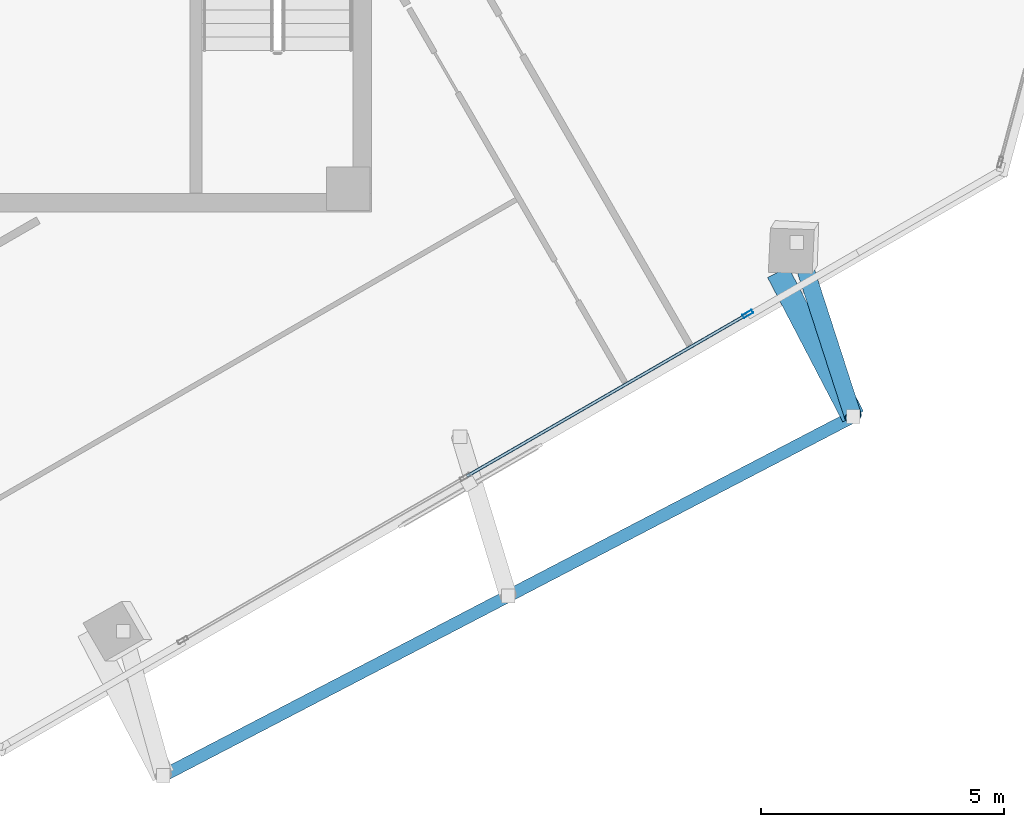
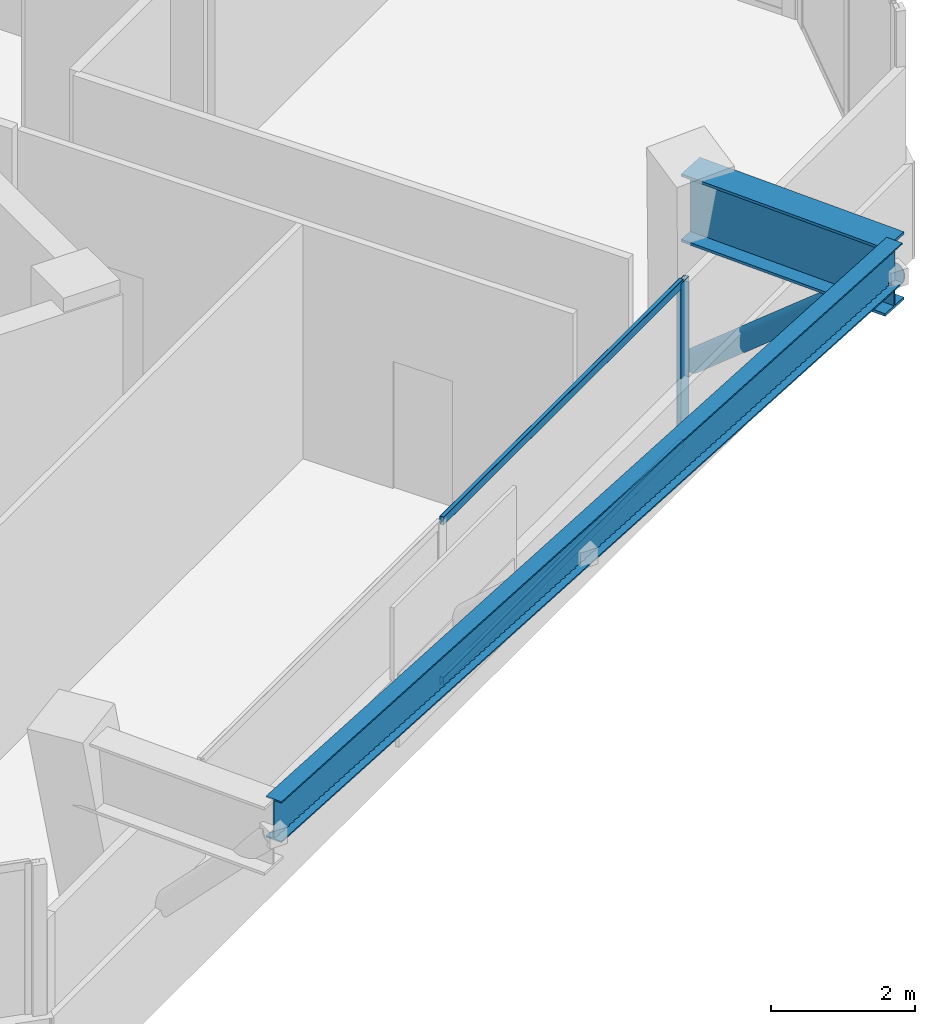
# One storey, part 5 of 15: 4 members, 2 beams, 1 element without a shape of its own.
"""IFC4 building model written with IfcOpenShell, lengths in metres."""

from ifc_helpers import new_model, si_unit, direction, frame, origin, origin_2d, place, context, subcontext, project, spatial, hollow_rectangle, hollow_circle, i_section, extrude, source, transform, mapped, material, material_profile, profile_set, type_object, element, aggregate, save


model = new_model("IFC4")

# Units and contexts
model_context = context("Model", 3, precision=1e-05, world=origin(), true_north=direction((0.0, 1.0)))
body_context = subcontext(model_context, "Body", "Model", "MODEL_VIEW")
ifc_project = project(units=[si_unit("LENGTHUNIT", "METRE"), si_unit("AREAUNIT", "SQUARE_METRE"), si_unit("VOLUMEUNIT", "CUBIC_METRE"), si_unit("PLANEANGLEUNIT", "RADIAN"), si_unit("MASSUNIT", "GRAM", prefix="KILO")], contexts=[model_context])

# Site, building, storey
site_placement = place(None, origin())
site = spatial("IfcSite", under=ifc_project, at=site_placement, CompositionType="ELEMENT")
building_placement = place(site_placement, origin())
building = spatial("IfcBuilding", under=site, at=building_placement, Name="Torre Montelarca", CompositionType="ELEMENT")
storey_placement = place(building_placement, frame((0.0, 0.0, 324.0)))
storey = spatial("IfcBuildingStorey", under=building, at=storey_placement, Name="L73", CompositionType="ELEMENT", Elevation=324.0)

# Member
ifc_material_1 = material(Name="Steel ASTM A500 Grade C", Category="steel")
ifc_material_profile_1 = material_profile(ifc_material_1, hollow_circle(Radius=0.177734375, WallThickness=0.015869140625, at=origin_2d()), Name="HSS355.6X15.9", Category="steel")
ifc_profile_set_1 = profile_set([ifc_material_profile_1], Name="Steel ASTM A500 Grade C")
member_type_1 = type_object("IfcMemberType", Name="MB-BR-CHS356-EXT", PredefinedType="BRACE", material=ifc_profile_set_1)
shared_shape_1 = source(origin(), body_context, "Body", "SweptSolid", [
    extrude(hollow_circle(Radius=0.177734375, WallThickness=0.015869140625, at=origin_2d()), origin(), (0.0, 0.0, 1.0), 4.9638671875),
])
member_1_placement = place(storey_placement, frame((35.67822265625, 23.442626953125, 0.14990234375), z_axis=(0.233715008194, -0.721555741839, 0.651716661107), x_axis=(0.951340011133, 0.308143121321, 0.0)))
element("IfcMember", 1, at=member_1_placement, inside=storey, type_object=member_type_1, Name="L74 Sliding Tray Exterior Diagonal Raker Strut E3", PredefinedType="BRACE", context=body_context, shape_type="MappedRepresentation", body=[
    mapped(shared_shape_1, transform((0.0, 0.0, 0.0), scale=1.0)),
])

# Beams
ifc_material_2 = material(Name="Steel ASTM A572 Grade 50", Category="steel")
ifc_material_profile_2 = material_profile(ifc_material_2, i_section(OverallWidth=0.47998046875, OverallDepth=1.14990234375, WebThickness=0.02197265625, FlangeThickness=0.044921875, at=origin_2d()), Name="PG1150X480X22X45", Category="steel")
ifc_profile_set_2 = profile_set([ifc_material_profile_2], Name="Steel ASTM A572 Grade 50")
beam_type_1 = type_object("IfcBeamType", Name="BM-CG-PG1400-EXT", PredefinedType="USERDEFINED", material=ifc_profile_set_2)
shared_shape_2 = source(origin(), body_context, "Body", "SweptSolid", [
    extrude(i_section(OverallWidth=0.47998046875, OverallDepth=1.14990234375, WebThickness=0.02197265625, FlangeThickness=0.044921875, at=origin_2d()), origin(), (0.0, 0.0, 1.0), 3.349853515625),
])
beam_1_placement = place(storey_placement, frame((35.29150390625, 22.832275390625, 3.385009765625), z_axis=(0.461758844256, -0.887005507171, 0.0), x_axis=(0.887005507171, 0.461758844256, 0.0)))
element("IfcBeam", 2, at=beam_1_placement, inside=storey, type_object=beam_type_1, Name="L73 Sliding Tray Cantilever Girder East Y=40m (FLR)", ObjectType="CANTILEVER GIRDER", PredefinedType="USERDEFINED", context=body_context, shape_type="MappedRepresentation", body=[
    mapped(shared_shape_2, transform((0.0, 0.0, 0.0), scale=1.0)),
])
ifc_material_3 = material(Name="Steel ASTM A992 Grade 50", Category="steel")
ifc_material_profile_3 = material_profile(ifc_material_3, i_section(OverallWidth=0.256103515625, OverallDepth=0.693115234375, WebThickness=0.014404296875, FlangeThickness=0.023681640625, FilletRadius=0.01806640625, at=origin_2d()), Name="W690X170", Category="steel")
ifc_profile_set_3 = profile_set([ifc_material_profile_3], Name="Steel ASTM A992 Grade 50")
beam_type_2 = type_object("IfcBeamType", Name="BM-G-W690-EXT", PredefinedType="BEAM", material=ifc_profile_set_3)
shared_shape_3 = source(origin(), body_context, "Body", "SweptSolid", [
    extrude(i_section(OverallWidth=0.256103515625, OverallDepth=0.693115234375, WebThickness=0.014404296875, FlangeThickness=0.023681640625, FilletRadius=0.01806640625, at=origin_2d()), origin(), (0.0, 0.0, 1.0), 16.000244140625),
])
beam_2_placement = place(storey_placement, frame((22.64599609375, 12.472900390625, 3.614013671875), z_axis=(0.88701460653, 0.461741364622, 0.0), x_axis=(-0.461741364622, 0.88701460653, 0.0)))
element("IfcBeam", 3, at=beam_2_placement, inside=storey, type_object=beam_type_2, Name="L73 Sliding Tray Edge Girder East 24-40m (FLR)", PredefinedType="BEAM", context=body_context, shape_type="MappedRepresentation", body=[
    mapped(shared_shape_3, transform((0.0, 0.0, 0.0), scale=1.0)),
])

# Curtain wall, members
ifc_material_4 = material(Name="Insulated low-E laminated glass", Category="glass")
curtain_wall_type = type_object("IfcCurtainWallType", Name="CW-SYS-Z4", PredefinedType="USERDEFINED", material=ifc_material_4)
curtain_wall_placement = place(storey_placement, origin())
curtain_wall = element("IfcCurtainWall", 4, at=curtain_wall_placement, inside=storey, type_object=curtain_wall_type, Name="L73 Curtain Wall Run CW-T3-L73-E06-B1", ObjectType="UNITISED GLAZING", PredefinedType="USERDEFINED")
ifc_material_5 = material(Name="Anodised aluminium AA 6063-T6", Category="aluminium")
ifc_material_profile_4 = material_profile(ifc_material_5, hollow_rectangle(XDim=0.074951171875, YDim=0.219970703125, WallThickness=0.0048828125, InnerFilletRadius=0.0048828125, OuterFilletRadius=0.010009765625, at=origin_2d()), Name="ALU75X220X5", Category="aluminium")
ifc_profile_set_4 = profile_set([ifc_material_profile_4], Name="Anodised aluminium AA 6063-T6")
member_type_2 = type_object("IfcMemberType", Name="CWM-ALU220", PredefinedType="MULLION", material=ifc_profile_set_4)
shared_shape_4 = source(origin(), body_context, "Body", "SweptSolid", [
    extrude(hollow_rectangle(XDim=0.074951171875, YDim=0.219970703125, WallThickness=0.0048828125, InnerFilletRadius=0.0048828125, OuterFilletRadius=0.010009765625, at=origin_2d()), origin(), (0.0, 0.0, 1.0), 2.77490234375),
])
member_2_placement = place(storey_placement, frame((34.6708984375, 21.971923828125, 0.0), z_axis=(0.0, 0.0, 1.0), x_axis=(-0.499999029587, 0.866025964052, 0.0)))
member_2 = element("IfcMember", 5, at=member_2_placement, type_object=member_type_2, Name="CW mullion 3", PredefinedType="MULLION", context=body_context, shape_type="MappedRepresentation", body=[
    mapped(shared_shape_4, transform((0.0, 0.0, 0.0), scale=1.0)),
])
ifc_material_profile_5 = material_profile(ifc_material_5, hollow_rectangle(XDim=0.06494140625, YDim=0.139892578125, WallThickness=0.00390625, InnerFilletRadius=0.00390625, OuterFilletRadius=0.008056640625, at=origin_2d()), Name="ALU65X140X4", Category="aluminium")
ifc_profile_set_5 = profile_set([ifc_material_profile_5], Name="Anodised aluminium AA 6063-T6")
member_type_3 = type_object("IfcMemberType", Name="CWT-ALU140", PredefinedType="USERDEFINED", material=ifc_profile_set_5)
shared_shape_5 = source(origin(), body_context, "Body", "SweptSolid", [
    extrude(hollow_rectangle(XDim=0.06494140625, YDim=0.139892578125, WallThickness=0.00390625, InnerFilletRadius=0.00390625, OuterFilletRadius=0.008056640625, at=origin_2d()), origin(), (0.0, 0.0, 1.0), 6.63720703125),
])
member_3_placement = place(storey_placement, frame((28.890380859375, 18.634521484375, 0.032470703125), z_axis=(0.866027549835, 0.499996282913, 0.0), x_axis=(-0.499996282913, 0.866027549835, 0.0)))
member_3 = element("IfcMember", 6, at=member_3_placement, type_object=member_type_3, Name="CW transom 2.1", ObjectType="TRANSOM", PredefinedType="USERDEFINED", context=body_context, shape_type="MappedRepresentation", body=[
    mapped(shared_shape_5, transform((0.0, 0.0, 0.0), scale=1.0)),
])
member_4_placement = place(storey_placement, frame((28.890380859375, 18.634521484375, 2.742431640625), z_axis=(0.866027549835, 0.499996282913, 0.0), x_axis=(-0.499996282913, 0.866027549835, 0.0)))
member_4 = element("IfcMember", 7, at=member_4_placement, type_object=member_type_3, Name="CW transom 2.2", ObjectType="TRANSOM", PredefinedType="USERDEFINED", context=body_context, shape_type="MappedRepresentation", body=[
    mapped(shared_shape_5, transform((0.0, 0.0, 0.0), scale=1.0)),
])
aggregate(curtain_wall, [member_2, member_3, member_4])

save(model, "model.ifc")
